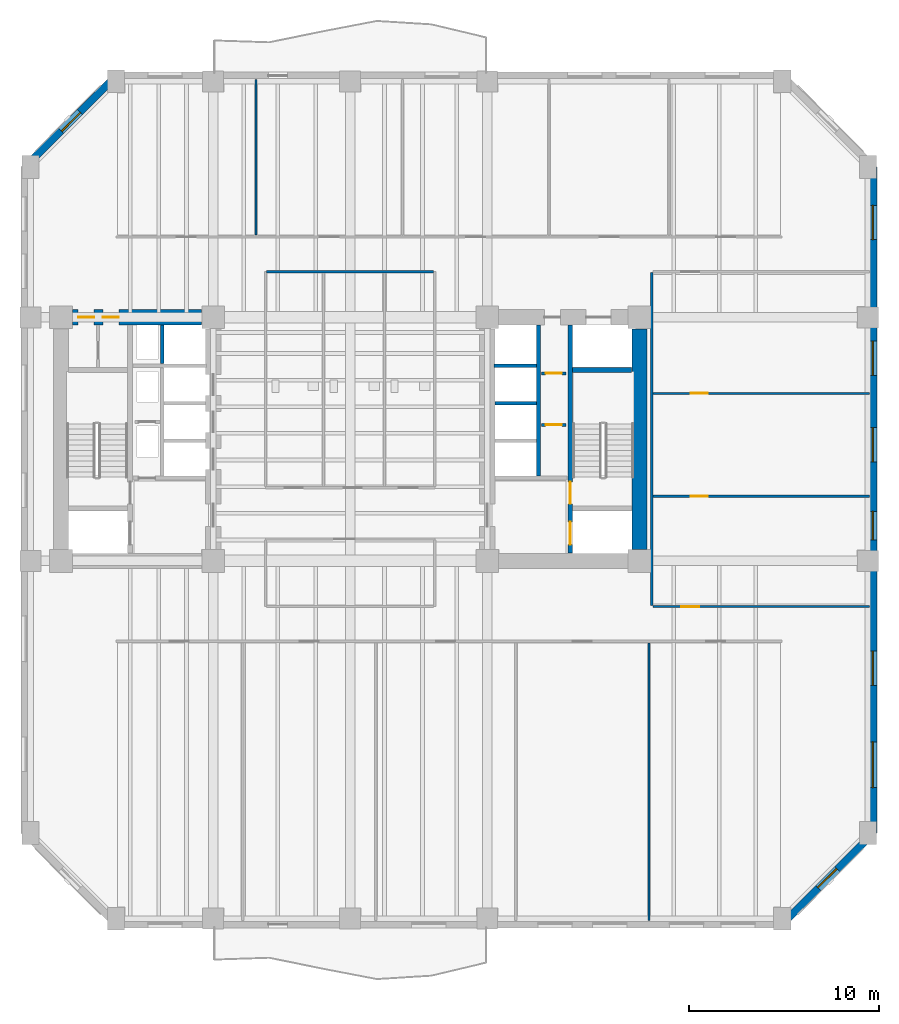
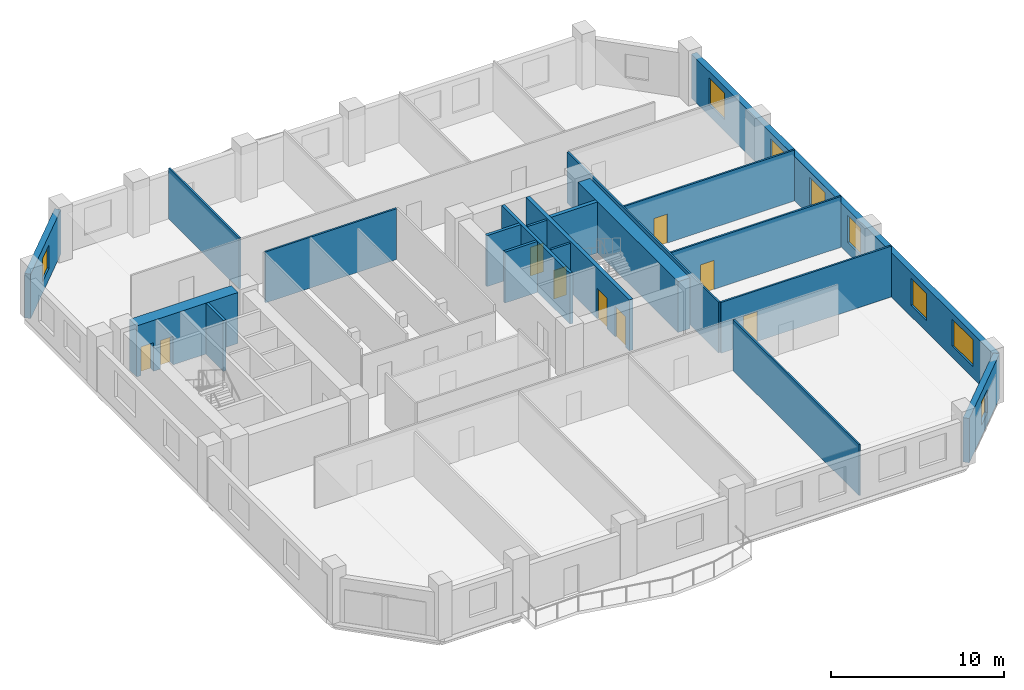
# One storey, part 4 of 9: 20 walls, 9 doors, 8 windows, 17 openings.
"""IFC4 building model written with IfcOpenShell, lengths in metres."""

from ifc_helpers import new_model, si_unit, direction, frame, frame_2d, origin, place, context, subcontext, project, spatial, rectangle, extrude, material, layer, layer_set, type_object, element, fill, save


model = new_model("IFC4")

# Units and contexts
model_context = context("Model", 3, precision=1e-05, world=origin(), true_north=direction((0.0, 1.0)))
body_context = subcontext(model_context, "Body", "Model", "MODEL_VIEW")
ifc_project = project(units=[si_unit("LENGTHUNIT", "METRE"), si_unit("AREAUNIT", "SQUARE_METRE"), si_unit("VOLUMEUNIT", "CUBIC_METRE"), si_unit("PLANEANGLEUNIT", "RADIAN"), si_unit("MASSUNIT", "GRAM", prefix="KILO")], contexts=[model_context])

# Site, building, storey
site_placement = place(None, origin())
site = spatial("IfcSite", under=ifc_project, at=site_placement, CompositionType="ELEMENT")
building_placement = place(site_placement, origin())
building = spatial("IfcBuilding", under=site, at=building_placement, Name="Kranthara Brick Stack", CompositionType="ELEMENT")
storey_placement = place(building_placement, frame((0.0, 0.0, 63.300048828125)))
storey = spatial("IfcBuildingStorey", under=building, at=storey_placement, Name="L15", CompositionType="ELEMENT", Elevation=63.300048828125)

# Wall, opening, window
ifc_material_1 = material(Name="Kiln-fired clay brick masonry M15", Category="masonry")
ifc_layer_1 = layer(ifc_material_1, 0.3798828125)
ifc_layer_set_1 = layer_set([ifc_layer_1], Name="Kiln-fired clay brick masonry M15")
wall_type_1 = type_object("IfcWallType", Name="WL-BRK-PIER-380", PredefinedType="STANDARD", material=ifc_layer_set_1)
wall_1_placement = place(storey_placement, frame((10.909912109375, 41.5, 0.0), z_axis=(0.0, 0.0, 1.0), x_axis=(0.707106781187, 0.707106781187, 0.0)))
wall_1 = element("IfcWall", 1, at=wall_1_placement, inside=storey, type_object=wall_type_1, Name="L15 Exterior Brick Facade Wall NW 1", PredefinedType="STANDARD", context=body_context, shape_type="SweptSolid", body=[
    extrude(rectangle(XDim=6.774169921875, YDim=0.3798828125, at=frame_2d((3.38720703125, 0.0))), origin(), (0.0, 0.0, 1.0), 3.135009765625),
])
opening_1_placement = place(wall_1_placement, frame((2.68701171875, 0.0, 0.800048828125)))
opening_1 = element("IfcOpeningElement", 2, at=opening_1_placement, cuts=wall_1, Name="Opening WN10", PredefinedType="OPENING", context=body_context, shape_type="SweptSolid", body=[
    extrude(rectangle(XDim=1.39990234375, YDim=1.64990234375, at=frame_2d((0.699951171875, 0.824951171875))), frame((0.0, 0.199951171875, 0.0), z_axis=(0.0, -1.0, 0.0), x_axis=(1.0, 0.0, 0.0)), (0.0, 0.0, 1.0), 0.39990234375),
])
ifc_material_2 = material(Name="Double-glazed low-E solar control glass", Category="glass")
window_type_1 = type_object("IfcWindowType", Name="WN-CHM-1400x1750", PartitioningType="SINGLE_PANEL", PredefinedType="WINDOW", material=ifc_material_2)
window_1_placement = place(opening_1_placement, origin())
window_1 = element("IfcWindow", 3, at=window_1_placement, inside=storey, type_object=window_type_1, Name="L15 NW Chamfer Corner Window", OverallHeight=1.64990234375, OverallWidth=1.39990234375, PartitioningType="SINGLE_PANEL", PredefinedType="WINDOW", context=body_context, shape_type="SweptSolid", body=[
    extrude(rectangle(XDim=1.39990234375, YDim=1.64990234375, at=frame_2d((0.699951171875, 0.824951171875))), frame((0.0, -0.010009765625, 0.0), z_axis=(0.0, -1.0, 0.0), x_axis=(1.0, 0.0, 0.0)), (0.0, 0.0, 1.0), 0.06005859375),
])
fill(opening_1, window_1)

# Wall, openings, windows
wall_2_placement = place(storey_placement, frame((55.489990234375, 41.5, 0.0), z_axis=(0.0, 0.0, 1.0), x_axis=(0.0, -1.0, 0.0)))
wall_2 = element("IfcWall", 4, at=wall_2_placement, inside=storey, type_object=wall_type_1, Name="L15 Exterior Brick Facade Wall EAST 1", PredefinedType="STANDARD", context=body_context, shape_type="SweptSolid", body=[
    extrude(rectangle(XDim=35.0, YDim=0.3798828125, at=frame_2d((17.5, 0.0))), origin(), (0.0, 0.0, 1.0), 3.135009765625),
])
opening_2_placement = place(wall_2_placement, frame((2.02490234375, 0.0, 0.800048828125)))
opening_2 = element("IfcOpeningElement", 5, at=opening_2_placement, cuts=wall_2, Name="Opening WN01", PredefinedType="OPENING", context=body_context, shape_type="SweptSolid", body=[
    extrude(rectangle(XDim=1.800048828125, YDim=1.89990234375, at=frame_2d((0.89990234375, 0.949951171875))), frame((0.0, 0.199951171875, 0.0), z_axis=(0.0, -1.0, 0.0), x_axis=(1.0, 0.0, 0.0)), (0.0, 0.0, 1.0), 0.39990234375),
])
opening_3_placement = place(wall_2_placement, frame((9.14990234375, 0.0, 0.800048828125)))
opening_3 = element("IfcOpeningElement", 6, at=opening_3_placement, cuts=wall_2, Name="Opening WN01", PredefinedType="OPENING", context=body_context, shape_type="SweptSolid", body=[
    extrude(rectangle(XDim=1.800048828125, YDim=1.89990234375, at=frame_2d((0.89990234375, 0.949951171875))), frame((0.0, 0.199951171875, 0.0), z_axis=(0.0, -1.0, 0.0), x_axis=(1.0, 0.0, 0.0)), (0.0, 0.0, 1.0), 0.39990234375),
])
opening_4_placement = place(wall_2_placement, frame((13.699951171875, 0.0, 0.800048828125)))
opening_4 = element("IfcOpeningElement", 7, at=opening_4_placement, cuts=wall_2, Name="Opening WN01", PredefinedType="OPENING", context=body_context, shape_type="SweptSolid", body=[
    extrude(rectangle(XDim=1.800048828125, YDim=1.89990234375, at=frame_2d((0.89990234375, 0.949951171875))), frame((0.0, 0.199951171875, 0.0), z_axis=(0.0, -1.0, 0.0), x_axis=(1.0, 0.0, 0.0)), (0.0, 0.0, 1.0), 0.39990234375),
])
opening_5_placement = place(wall_2_placement, frame((18.10009765625, 0.0, 0.800048828125)))
opening_5 = element("IfcOpeningElement", 8, at=opening_5_placement, cuts=wall_2, Name="Opening WN03", PredefinedType="OPENING", context=body_context, shape_type="SweptSolid", body=[
    extrude(rectangle(XDim=1.5, YDim=1.89990234375, at=frame_2d((0.75, 0.949951171875))), frame((0.0, 0.199951171875, 0.0), z_axis=(0.0, -1.0, 0.0), x_axis=(1.0, 0.0, 0.0)), (0.0, 0.0, 1.0), 0.39990234375),
])
opening_6_placement = place(wall_2_placement, frame((25.443115234375, 0.0, 0.800048828125)))
opening_6 = element("IfcOpeningElement", 9, at=opening_6_placement, cuts=wall_2, Name="Opening WN01", PredefinedType="OPENING", context=body_context, shape_type="SweptSolid", body=[
    extrude(rectangle(XDim=1.800048828125, YDim=1.89990234375, at=frame_2d((0.89990234375, 0.949951171875))), frame((0.0, 0.199951171875, 0.0), z_axis=(0.0, -1.0, 0.0), x_axis=(1.0, 0.0, 0.0)), (0.0, 0.0, 1.0), 0.39990234375),
])
opening_7_placement = place(wall_2_placement, frame((30.20703125, 0.0, 0.800048828125)))
opening_7 = element("IfcOpeningElement", 10, at=opening_7_placement, cuts=wall_2, Name="Opening WN02", PredefinedType="OPENING", context=body_context, shape_type="SweptSolid", body=[
    extrude(rectangle(XDim=2.39990234375, YDim=1.89990234375, at=frame_2d((1.199951171875, 0.949951171875))), frame((0.0, 0.199951171875, 0.0), z_axis=(0.0, -1.0, 0.0), x_axis=(1.0, 0.0, 0.0)), (0.0, 0.0, 1.0), 0.39990234375),
])
ifc_material_3 = material(Name="Double-glazed low-E solar control glass", Category="glass")
window_type_2 = type_object("IfcWindowType", Name="WN-OFF-1500x2000", PartitioningType="SINGLE_PANEL", PredefinedType="WINDOW", material=ifc_material_3)
window_2_placement = place(opening_5_placement, origin())
window_2 = element("IfcWindow", 11, at=window_2_placement, inside=storey, type_object=window_type_2, Name="L15 East Deep-Set Brick Window 04", OverallHeight=1.89990234375, OverallWidth=1.5, PartitioningType="SINGLE_PANEL", PredefinedType="WINDOW", context=body_context, shape_type="SweptSolid", body=[
    extrude(rectangle(XDim=1.5, YDim=1.89990234375, at=frame_2d((0.75, 0.949951171875))), frame((0.0, -0.010009765625, 0.0), z_axis=(0.0, -1.0, 0.0), x_axis=(1.0, 0.0, 0.0)), (0.0, 0.0, 1.0), 0.06005859375),
])
fill(opening_5, window_2)
ifc_material_4 = material(Name="Double-glazed low-E solar control glass", Category="glass")
window_type_3 = type_object("IfcWindowType", Name="WN-OFF-1800x2000", PartitioningType="SINGLE_PANEL", PredefinedType="WINDOW", material=ifc_material_4)
window_3_placement = place(opening_2_placement, origin())
window_3 = element("IfcWindow", 12, at=window_3_placement, inside=storey, type_object=window_type_3, Name="L15 East Deep-Set Brick Window 01", OverallHeight=1.89990234375, OverallWidth=1.800048828125, PartitioningType="SINGLE_PANEL", PredefinedType="WINDOW", context=body_context, shape_type="SweptSolid", body=[
    extrude(rectangle(XDim=1.800048828125, YDim=1.89990234375, at=frame_2d((0.89990234375, 0.949951171875))), frame((0.0, -0.010009765625, 0.0), z_axis=(0.0, -1.0, 0.0), x_axis=(1.0, 0.0, 0.0)), (0.0, 0.0, 1.0), 0.06005859375),
])
fill(opening_2, window_3)
window_4_placement = place(opening_3_placement, origin())
window_4 = element("IfcWindow", 13, at=window_4_placement, inside=storey, type_object=window_type_3, Name="L15 East Deep-Set Brick Window 02", OverallHeight=1.89990234375, OverallWidth=1.800048828125, PartitioningType="SINGLE_PANEL", PredefinedType="WINDOW", context=body_context, shape_type="SweptSolid", body=[
    extrude(rectangle(XDim=1.800048828125, YDim=1.89990234375, at=frame_2d((0.89990234375, 0.949951171875))), frame((0.0, -0.010009765625, 0.0), z_axis=(0.0, -1.0, 0.0), x_axis=(1.0, 0.0, 0.0)), (0.0, 0.0, 1.0), 0.06005859375),
])
fill(opening_3, window_4)
window_5_placement = place(opening_4_placement, origin())
window_5 = element("IfcWindow", 14, at=window_5_placement, inside=storey, type_object=window_type_3, Name="L15 East Deep-Set Brick Window 03", OverallHeight=1.89990234375, OverallWidth=1.800048828125, PartitioningType="SINGLE_PANEL", PredefinedType="WINDOW", context=body_context, shape_type="SweptSolid", body=[
    extrude(rectangle(XDim=1.800048828125, YDim=1.89990234375, at=frame_2d((0.89990234375, 0.949951171875))), frame((0.0, -0.010009765625, 0.0), z_axis=(0.0, -1.0, 0.0), x_axis=(1.0, 0.0, 0.0)), (0.0, 0.0, 1.0), 0.06005859375),
])
fill(opening_4, window_5)
window_6_placement = place(opening_6_placement, origin())
window_6 = element("IfcWindow", 15, at=window_6_placement, inside=storey, type_object=window_type_3, Name="L15 East Deep-Set Brick Window 05", OverallHeight=1.89990234375, OverallWidth=1.800048828125, PartitioningType="SINGLE_PANEL", PredefinedType="WINDOW", context=body_context, shape_type="SweptSolid", body=[
    extrude(rectangle(XDim=1.800048828125, YDim=1.89990234375, at=frame_2d((0.89990234375, 0.949951171875))), frame((0.0, -0.010009765625, 0.0), z_axis=(0.0, -1.0, 0.0), x_axis=(1.0, 0.0, 0.0)), (0.0, 0.0, 1.0), 0.06005859375),
])
fill(opening_6, window_6)
ifc_material_5 = material(Name="Double-glazed low-E solar control glass", Category="glass")
window_type_4 = type_object("IfcWindowType", Name="WN-OFF-2400x2000", PartitioningType="DOUBLE_PANEL_VERTICAL", PredefinedType="WINDOW", material=ifc_material_5)
window_7_placement = place(opening_7_placement, origin())
window_7 = element("IfcWindow", 16, at=window_7_placement, inside=storey, type_object=window_type_4, Name="L15 East Deep-Set Brick Window 06", OverallHeight=1.89990234375, OverallWidth=2.39990234375, PartitioningType="SINGLE_PANEL", PredefinedType="WINDOW", context=body_context, shape_type="SweptSolid", body=[
    extrude(rectangle(XDim=2.39990234375, YDim=1.89990234375, at=frame_2d((1.199951171875, 0.949951171875))), frame((0.0, -0.010009765625, 0.0), z_axis=(0.0, -1.0, 0.0), x_axis=(1.0, 0.0, 0.0)), (0.0, 0.0, 1.0), 0.06005859375),
])
fill(opening_7, window_7)

# Wall, opening, window
wall_3_placement = place(storey_placement, frame((55.489990234375, 6.5, 0.0), z_axis=(0.0, 0.0, 1.0), x_axis=(-0.707106781187, -0.707106781187, 0.0)))
wall_3 = element("IfcWall", 17, at=wall_3_placement, inside=storey, type_object=wall_type_1, Name="L15 Exterior Brick Facade Wall SE 1", PredefinedType="STANDARD", context=body_context, shape_type="SweptSolid", body=[
    extrude(rectangle(XDim=6.774169921875, YDim=0.3798828125, at=frame_2d((3.38720703125, 0.0))), origin(), (0.0, 0.0, 1.0), 3.135009765625),
])
opening_8_placement = place(wall_3_placement, frame((2.68701171875, 0.0, 0.800048828125)))
opening_8 = element("IfcOpeningElement", 18, at=opening_8_placement, cuts=wall_3, Name="Opening WN10", PredefinedType="OPENING", context=body_context, shape_type="SweptSolid", body=[
    extrude(rectangle(XDim=1.39990234375, YDim=1.64990234375, at=frame_2d((0.699951171875, 0.824951171875))), frame((0.0, 0.199951171875, 0.0), z_axis=(0.0, -1.0, 0.0), x_axis=(1.0, 0.0, 0.0)), (0.0, 0.0, 1.0), 0.39990234375),
])
window_8_placement = place(opening_8_placement, origin())
window_8 = element("IfcWindow", 19, at=window_8_placement, inside=storey, type_object=window_type_1, Name="L15 SE Chamfer Corner Window", OverallHeight=1.64990234375, OverallWidth=1.39990234375, PartitioningType="SINGLE_PANEL", PredefinedType="WINDOW", context=body_context, shape_type="SweptSolid", body=[
    extrude(rectangle(XDim=1.39990234375, YDim=1.64990234375, at=frame_2d((0.699951171875, 0.824951171875))), frame((0.0, -0.010009765625, 0.0), z_axis=(0.0, -1.0, 0.0), x_axis=(1.0, 0.0, 0.0)), (0.0, 0.0, 1.0), 0.06005859375),
])
fill(opening_8, window_8)

# Wall, openings, doors
ifc_material_6 = material(Name="Concrete C50/60", Category="concrete")
ifc_layer_2 = layer(ifc_material_6, 0.25)
ifc_layer_set_2 = layer_set([ifc_layer_2], Name="Concrete C50/60")
wall_type_2 = type_object("IfcWallType", Name="WL-CORE-250", PredefinedType="SHEAR", material=ifc_layer_set_2)
wall_4_placement = place(storey_placement, frame((39.56494140625, 21.2099609375, 0.0), z_axis=(0.0, 0.0, 1.0), x_axis=(0.0, 1.0, 0.0)))
wall_4 = element("IfcWall", 20, at=wall_4_placement, inside=storey, type_object=wall_type_2, Name="L15 East Core Stair Bearing Spine Wall", PredefinedType="SHEAR", context=body_context, shape_type="SweptSolid", body=[
    extrude(rectangle(XDim=11.97998046875, YDim=0.25, at=frame_2d((5.989990234375, 0.0))), origin(), (0.0, 0.0, 1.0), 3.599853515625),
])
opening_9_placement = place(wall_4_placement, frame((0.43994140625, 0.0, 0.0)))
opening_9 = element("IfcOpeningElement", 21, at=opening_9_placement, cuts=wall_4, Name="Opening LD01", PredefinedType="OPENING", context=body_context, shape_type="SweptSolid", body=[
    extrude(rectangle(XDim=1.199951171875, YDim=2.14990234375, at=frame_2d((0.60009765625, 1.074951171875))), frame((0.0, 0.135009765625, 0.0), z_axis=(0.0, -1.0, 0.0), x_axis=(1.0, 0.0, 0.0)), (0.0, 0.0, 1.0), 0.27001953125),
])
opening_10_placement = place(wall_4_placement, frame((2.590087890625, 0.0, 0.0)))
opening_10 = element("IfcOpeningElement", 22, at=opening_10_placement, cuts=wall_4, Name="Opening D05", PredefinedType="OPENING", context=body_context, shape_type="SweptSolid", body=[
    extrude(rectangle(XDim=1.14990234375, YDim=2.14990234375, at=frame_2d((0.574951171875, 1.074951171875))), frame((0.0, 0.135009765625, 0.0), z_axis=(0.0, -1.0, 0.0), x_axis=(1.0, 0.0, 0.0)), (0.0, 0.0, 1.0), 0.27001953125),
])
ifc_material_7 = material(Name="Stainless steel sliding landing door", Category="steel")
door_type_1 = type_object("IfcDoorType", Name="DR-LD-FF1200", OperationType="DOUBLE_DOOR_SLIDING", PredefinedType="DOOR", material=ifc_material_7)
door_1_placement = place(opening_9_placement, origin())
door_1 = element("IfcDoor", 23, at=door_1_placement, inside=storey, type_object=door_type_1, Name="L15 Firefighting Lift FF-02 Landing Door", OperationType="DOUBLE_DOOR_SLIDING", OverallHeight=2.14990234375, OverallWidth=1.199951171875, PredefinedType="DOOR", context=body_context, shape_type="SweptSolid", body=[
    extrude(rectangle(XDim=1.199951171875, YDim=2.14990234375, at=frame_2d((0.60009765625, 1.074951171875))), frame((0.0, 0.02490234375, 0.0), z_axis=(0.0, -1.0, 0.0), x_axis=(1.0, 0.0, 0.0)), (0.0, 0.0, 1.0), 0.050048828125),
])
fill(opening_9, door_1)
ifc_material_8 = material(Name="Solid-core hardwood timber leaf in steel frame", Category="steel")
door_type_2 = type_object("IfcDoorType", Name="DR-ST-1150", OperationType="NOTDEFINED", PredefinedType="DOOR", material=ifc_material_8)
door_2_placement = place(opening_10_placement, origin())
door_2 = element("IfcDoor", 24, at=door_2_placement, inside=storey, type_object=door_type_2, Name="L15 Exit Stair ST02 Door", OperationType="SINGLE_SWING_LEFT", OverallHeight=2.14990234375, OverallWidth=1.14990234375, PredefinedType="DOOR", context=body_context, shape_type="SweptSolid", body=[
    extrude(rectangle(XDim=1.14990234375, YDim=2.14990234375, at=frame_2d((0.574951171875, 1.074951171875))), frame((0.0, 0.02490234375, 0.0), z_axis=(0.0, -1.0, 0.0), x_axis=(1.0, 0.0, 0.0)), (0.0, 0.0, 1.0), 0.050048828125),
])
fill(opening_10, door_2)

# Wall
wall_5_placement = place(storey_placement, frame((39.68994140625, 30.830078125, 0.0), z_axis=(0.0, 0.0, 1.0), x_axis=(1.0, 0.0, 0.0)))
element("IfcWall", 25, at=wall_5_placement, inside=storey, type_object=wall_type_2, Name="L15 East Stairwell Bearing Wall EST", PredefinedType="SHEAR", context=body_context, shape_type="SweptSolid", body=[
    extrude(rectangle(XDim=3.10009765625, YDim=0.25, at=frame_2d((1.550048828125, 0.0))), origin(), (0.0, 0.0, 1.0), 3.599853515625),
])

# Wall, openings, doors
ifc_material_9 = material(Name="Concrete C70/85", Category="concrete")
ifc_layer_3 = layer(ifc_material_9, 0.800048828125)
ifc_layer_set_3 = layer_set([ifc_layer_3], Name="Concrete C70/85")
wall_type_3 = type_object("IfcWallType", Name="WL-CORE-800", PredefinedType="SHEAR", material=ifc_layer_set_3)
wall_6_placement = place(storey_placement, frame((13.405029296875, 33.60009765625, 0.0), z_axis=(0.0, 0.0, 1.0), x_axis=(1.0, 0.0, 0.0)))
wall_6 = element("IfcWall", 26, at=wall_6_placement, inside=storey, type_object=wall_type_3, Name="L15 West Core Shear Wall North", PredefinedType="SHEAR", context=body_context, shape_type="SweptSolid", body=[
    extrude(rectangle(XDim=6.7900390625, YDim=0.800048828125, at=frame_2d((3.39501953125, 0.0))), origin(), (0.0, 0.0, 1.0), 3.599853515625),
])
opening_11_placement = place(wall_6_placement, frame((0.294921875, 0.0, 0.0)))
opening_11 = element("IfcOpeningElement", 27, at=opening_11_placement, cuts=wall_6, Name="Opening D10", PredefinedType="OPENING", context=body_context, shape_type="SweptSolid", body=[
    extrude(rectangle(XDim=0.85009765625, YDim=2.02001953125, at=frame_2d((0.425048828125, 1.010009765625))), frame((0.0, 0.409912109375, 0.0), z_axis=(0.0, -1.0, 0.0), x_axis=(1.0, 0.0, 0.0)), (0.0, 0.0, 1.0), 0.820068359375),
])
opening_12_placement = place(wall_6_placement, frame((1.594970703125, 0.0, 0.0)))
opening_12 = element("IfcOpeningElement", 28, at=opening_12_placement, cuts=wall_6, Name="Opening D10", PredefinedType="OPENING", context=body_context, shape_type="SweptSolid", body=[
    extrude(rectangle(XDim=0.85009765625, YDim=2.02001953125, at=frame_2d((0.425048828125, 1.010009765625))), frame((0.0, 0.409912109375, 0.0), z_axis=(0.0, -1.0, 0.0), x_axis=(1.0, 0.0, 0.0)), (0.0, 0.0, 1.0), 0.820068359375),
])
ifc_material_10 = material(Name="Solid-core hardwood timber leaf in steel frame", Category="steel")
door_type_3 = type_object("IfcDoorType", Name="DR-RSR-850", OperationType="NOTDEFINED", PredefinedType="DOOR", material=ifc_material_10)
door_3_placement = place(opening_11_placement, origin())
door_3 = element("IfcDoor", 29, at=door_3_placement, inside=storey, type_object=door_type_3, Name="L15 West Core Service Door 1", OperationType="SINGLE_SWING_LEFT", OverallHeight=2.02001953125, OverallWidth=0.85009765625, PredefinedType="DOOR", context=body_context, shape_type="SweptSolid", body=[
    extrude(rectangle(XDim=0.85009765625, YDim=2.02001953125, at=frame_2d((0.425048828125, 1.010009765625))), frame((0.0, 0.02490234375, 0.0), z_axis=(0.0, -1.0, 0.0), x_axis=(1.0, 0.0, 0.0)), (0.0, 0.0, 1.0), 0.050048828125),
])
fill(opening_11, door_3)
door_4_placement = place(opening_12_placement, origin())
door_4 = element("IfcDoor", 30, at=door_4_placement, inside=storey, type_object=door_type_3, Name="L15 West Core Service Door 2", OperationType="SINGLE_SWING_RIGHT", OverallHeight=2.02001953125, OverallWidth=0.85009765625, PredefinedType="DOOR", context=body_context, shape_type="SweptSolid", body=[
    extrude(rectangle(XDim=0.85009765625, YDim=2.02001953125, at=frame_2d((0.425048828125, 1.010009765625))), frame((0.0, 0.02490234375, 0.0), z_axis=(0.0, -1.0, 0.0), x_axis=(1.0, 0.0, 0.0)), (0.0, 0.0, 1.0), 0.050048828125),
])
fill(opening_12, door_4)

# Walls
wall_7_placement = place(storey_placement, frame((43.199951171875, 21.405029296875, 0.0), z_axis=(0.0, 0.0, 1.0), x_axis=(0.0, 1.0, 0.0)))
element("IfcWall", 31, at=wall_7_placement, inside=storey, type_object=wall_type_3, Name="L15 East Core Shear Wall East", PredefinedType="SHEAR", context=body_context, shape_type="SweptSolid", body=[
    extrude(rectangle(XDim=11.590087890625, YDim=0.800048828125, at=frame_2d((5.794921875, 0.0))), origin(), (0.0, 0.0, 1.0), 3.599853515625),
])
ifc_material_11 = material(Name="Acoustic gypsum plasterboard partition", Category="other")
ifc_layer_4 = layer(ifc_material_11, 0.1201171875)
ifc_layer_set_4 = layer_set([ifc_layer_4], Name="Acoustic gypsum plasterboard partition")
wall_type_4 = type_object("IfcWallType", Name="WL-PART-120", PredefinedType="PARTITIONING", material=ifc_layer_set_4)
wall_8_placement = place(storey_placement, frame((23.614990234375, 36.0, 0.0), z_axis=(0.0, 0.0, 1.0), x_axis=(1.0, 0.0, 0.0)))
element("IfcWall", 32, at=wall_8_placement, inside=storey, type_object=wall_type_4, Name="L15 Interior Partition 010", PredefinedType="PARTITIONING", context=body_context, shape_type="SweptSolid", body=[
    extrude(rectangle(XDim=8.77001953125, YDim=0.1201171875, at=frame_2d((4.385009765625, 0.0))), origin(), (0.0, 0.0, 1.0), 3.599853515625),
])
wall_9_placement = place(storey_placement, frame((43.699951171875, 1.905029296875, 0.0), z_axis=(0.0, 0.0, 1.0), x_axis=(0.0, 1.0, 0.0)))
element("IfcWall", 33, at=wall_9_placement, inside=storey, type_object=wall_type_4, Name="L15 Interior Partition 019", PredefinedType="PARTITIONING", context=body_context, shape_type="SweptSolid", body=[
    extrude(rectangle(XDim=14.574951171875, YDim=0.1201171875, at=frame_2d((7.28759765625, 0.0))), origin(), (0.0, 0.0, 1.0), 3.599853515625),
])
wall_10_placement = place(storey_placement, frame((23.050048828125, 37.919921875, 0.0), z_axis=(0.0, 0.0, 1.0), x_axis=(0.0, 1.0, 0.0)))
element("IfcWall", 34, at=wall_10_placement, inside=storey, type_object=wall_type_4, Name="L15 Interior Partition 021", PredefinedType="PARTITIONING", context=body_context, shape_type="SweptSolid", body=[
    extrude(rectangle(XDim=8.175048828125, YDim=0.1201171875, at=frame_2d((4.08740234375, 0.0))), origin(), (0.0, 0.0, 1.0), 3.599853515625),
])
wall_11_placement = place(storey_placement, frame((43.85009765625, 18.449951171875, 0.0), z_axis=(0.0, 0.0, 1.0), x_axis=(0.0, 1.0, 0.0)))
element("IfcWall", 35, at=wall_11_placement, inside=storey, type_object=wall_type_4, Name="L15 Interior Partition 025", PredefinedType="PARTITIONING", context=body_context, shape_type="SweptSolid", body=[
    extrude(rectangle(XDim=17.5, YDim=0.1201171875, at=frame_2d((8.75, 0.0))), origin(), (0.0, 0.0, 1.0), 3.599853515625),
])

# Wall, opening, door
wall_12_placement = place(storey_placement, frame((43.9150390625, 18.39990234375, 0.0), z_axis=(0.0, 0.0, 1.0), x_axis=(1.0, 0.0, 0.0)))
wall_12 = element("IfcWall", 36, at=wall_12_placement, inside=storey, type_object=wall_type_4, Name="L15 Interior Partition 026", PredefinedType="PARTITIONING", context=body_context, shape_type="SweptSolid", body=[
    extrude(rectangle(XDim=11.3798828125, YDim=0.1201171875, at=frame_2d((5.68994140625, 0.0))), origin(), (0.0, 0.0, 1.0), 3.599853515625),
])
opening_13_placement = place(wall_12_placement, frame((1.485107421875, 0.0, 0.0)))
opening_13 = element("IfcOpeningElement", 37, at=opening_13_placement, cuts=wall_12, Name="Opening D14", PredefinedType="OPENING", context=body_context, shape_type="SweptSolid", body=[
    extrude(rectangle(XDim=0.949951171875, YDim=2.10009765625, at=frame_2d((0.47509765625, 1.050048828125))), frame((0.0, 0.070068359375, 0.0), z_axis=(0.0, -1.0, 0.0), x_axis=(1.0, 0.0, 0.0)), (0.0, 0.0, 1.0), 0.14013671875),
])
ifc_material_12 = material(Name="Solid-core hardwood timber leaf in steel frame", Category="steel")
door_type_4 = type_object("IfcDoorType", Name="DR-INT-950", OperationType="NOTDEFINED", PredefinedType="DOOR", material=ifc_material_12)
door_5_placement = place(opening_13_placement, origin())
door_5 = element("IfcDoor", 38, at=door_5_placement, inside=storey, type_object=door_type_4, Name="L15 East South Office 21", OperationType="SINGLE_SWING_LEFT", OverallHeight=2.10009765625, OverallWidth=0.949951171875, PredefinedType="DOOR", context=body_context, shape_type="SweptSolid", body=[
    extrude(rectangle(XDim=0.949951171875, YDim=2.10009765625, at=frame_2d((0.47509765625, 1.050048828125))), frame((0.0, 0.02490234375, 0.0), z_axis=(0.0, -1.0, 0.0), x_axis=(1.0, 0.0, 0.0)), (0.0, 0.0, 1.0), 0.050048828125),
])
fill(opening_13, door_5)

wall_13_placement = place(storey_placement, frame((43.9150390625, 24.199951171875, 0.0), z_axis=(0.0, 0.0, 1.0), x_axis=(1.0, 0.0, 0.0)))
wall_13 = element("IfcWall", 39, at=wall_13_placement, inside=storey, type_object=wall_type_4, Name="L15 Interior Partition 028", PredefinedType="PARTITIONING", context=body_context, shape_type="SweptSolid", body=[
    extrude(rectangle(XDim=11.3798828125, YDim=0.1201171875, at=frame_2d((5.68994140625, 0.0))), origin(), (0.0, 0.0, 1.0), 3.599853515625),
])
opening_14_placement = place(wall_13_placement, frame((1.985107421875, 0.0, 0.0)))
opening_14 = element("IfcOpeningElement", 40, at=opening_14_placement, cuts=wall_13, Name="Opening D15", PredefinedType="OPENING", context=body_context, shape_type="SweptSolid", body=[
    extrude(rectangle(XDim=0.89990234375, YDim=2.050048828125, at=frame_2d((0.449951171875, 1.02490234375))), frame((0.0, 0.070068359375, 0.0), z_axis=(0.0, -1.0, 0.0), x_axis=(1.0, 0.0, 0.0)), (0.0, 0.0, 1.0), 0.14013671875),
])
ifc_material_13 = material(Name="Solid-core hardwood timber leaf in steel frame", Category="steel")
door_type_5 = type_object("IfcDoorType", Name="DR-INT-900", OperationType="NOTDEFINED", PredefinedType="DOOR", material=ifc_material_13)
door_6_placement = place(opening_14_placement, origin())
door_6 = element("IfcDoor", 41, at=door_6_placement, inside=storey, type_object=door_type_5, Name="L15 East Inner Suite Door 19", OperationType="SINGLE_SWING_LEFT", OverallHeight=2.050048828125, OverallWidth=0.89990234375, PredefinedType="DOOR", context=body_context, shape_type="SweptSolid", body=[
    extrude(rectangle(XDim=0.89990234375, YDim=2.050048828125, at=frame_2d((0.449951171875, 1.02490234375))), frame((0.0, 0.02490234375, 0.0), z_axis=(0.0, -1.0, 0.0), x_axis=(1.0, 0.0, 0.0)), (0.0, 0.0, 1.0), 0.050048828125),
])
fill(opening_14, door_6)

wall_14_placement = place(storey_placement, frame((43.9150390625, 29.60009765625, 0.0), z_axis=(0.0, 0.0, 1.0), x_axis=(1.0, 0.0, 0.0)))
wall_14 = element("IfcWall", 42, at=wall_14_placement, inside=storey, type_object=wall_type_4, Name="L15 Interior Partition 029", PredefinedType="PARTITIONING", context=body_context, shape_type="SweptSolid", body=[
    extrude(rectangle(XDim=11.3798828125, YDim=0.1201171875, at=frame_2d((5.68994140625, 0.0))), origin(), (0.0, 0.0, 1.0), 3.599853515625),
])
opening_15_placement = place(wall_14_placement, frame((1.985107421875, 0.0, 0.0)))
opening_15 = element("IfcOpeningElement", 43, at=opening_15_placement, cuts=wall_14, Name="Opening D15", PredefinedType="OPENING", context=body_context, shape_type="SweptSolid", body=[
    extrude(rectangle(XDim=0.89990234375, YDim=2.050048828125, at=frame_2d((0.449951171875, 1.02490234375))), frame((0.0, 0.070068359375, 0.0), z_axis=(0.0, -1.0, 0.0), x_axis=(1.0, 0.0, 0.0)), (0.0, 0.0, 1.0), 0.14013671875),
])
door_7_placement = place(opening_15_placement, origin())
door_7 = element("IfcDoor", 44, at=door_7_placement, inside=storey, type_object=door_type_5, Name="L15 East Inner Suite Door 20", OperationType="SINGLE_SWING_RIGHT", OverallHeight=2.050048828125, OverallWidth=0.89990234375, PredefinedType="DOOR", context=body_context, shape_type="SweptSolid", body=[
    extrude(rectangle(XDim=0.89990234375, YDim=2.050048828125, at=frame_2d((0.449951171875, 1.02490234375))), frame((0.0, 0.02490234375, 0.0), z_axis=(0.0, -1.0, 0.0), x_axis=(1.0, 0.0, 0.0)), (0.0, 0.0, 1.0), 0.050048828125),
])
fill(opening_15, door_7)

ifc_material_14 = material(Name="Fire-rated gypsum board partition", Category="other")
ifc_layer_5 = layer(ifc_material_14, 0.14990234375)
ifc_layer_set_5 = layer_set([ifc_layer_5], Name="Fire-rated gypsum board partition")
wall_type_5 = type_object("IfcWallType", Name="WL-PART-150", PredefinedType="PARTITIONING", material=ifc_layer_set_5)
wall_15_placement = place(storey_placement, frame((38.050048828125, 27.949951171875, 0.0), z_axis=(0.0, 0.0, 1.0), x_axis=(1.0, 0.0, 0.0)))
wall_15 = element("IfcWall", 45, at=wall_15_placement, inside=storey, type_object=wall_type_5, Name="L15 Interior Partition 002", PredefinedType="PARTITIONING", context=body_context, shape_type="SweptSolid", body=[
    extrude(rectangle(XDim=1.300048828125, YDim=0.14990234375, at=frame_2d((0.64990234375, 0.0))), origin(), (0.0, 0.0, 1.0), 3.599853515625),
])
opening_16_placement = place(wall_15_placement, frame((0.219970703125, 0.0, 0.0)))
opening_16 = element("IfcOpeningElement", 46, at=opening_16_placement, cuts=wall_15, Name="Opening D10", PredefinedType="OPENING", context=body_context, shape_type="SweptSolid", body=[
    extrude(rectangle(XDim=0.85009765625, YDim=2.02001953125, at=frame_2d((0.425048828125, 1.010009765625))), frame((0.0, 0.0849609375, 0.0), z_axis=(0.0, -1.0, 0.0), x_axis=(1.0, 0.0, 0.0)), (0.0, 0.0, 1.0), 0.169921875),
])
door_8_placement = place(opening_16_placement, origin())
door_8 = element("IfcDoor", 47, at=door_8_placement, inside=storey, type_object=door_type_3, Name="L15 Riser Door 1 02", OperationType="SINGLE_SWING_RIGHT", OverallHeight=2.02001953125, OverallWidth=0.85009765625, PredefinedType="DOOR", context=body_context, shape_type="SweptSolid", body=[
    extrude(rectangle(XDim=0.85009765625, YDim=2.02001953125, at=frame_2d((0.425048828125, 1.010009765625))), frame((0.0, 0.02490234375, 0.0), z_axis=(0.0, -1.0, 0.0), x_axis=(1.0, 0.0, 0.0)), (0.0, 0.0, 1.0), 0.050048828125),
])
fill(opening_16, door_8)

wall_16_placement = place(storey_placement, frame((38.050048828125, 30.64990234375, 0.0), z_axis=(0.0, 0.0, 1.0), x_axis=(1.0, 0.0, 0.0)))
wall_16 = element("IfcWall", 48, at=wall_16_placement, inside=storey, type_object=wall_type_5, Name="L15 Interior Partition 003", PredefinedType="PARTITIONING", context=body_context, shape_type="SweptSolid", body=[
    extrude(rectangle(XDim=1.300048828125, YDim=0.14990234375, at=frame_2d((0.64990234375, 0.0))), origin(), (0.0, 0.0, 1.0), 3.599853515625),
])
opening_17_placement = place(wall_16_placement, frame((0.219970703125, 0.0, 0.0)))
opening_17 = element("IfcOpeningElement", 49, at=opening_17_placement, cuts=wall_16, Name="Opening D10", PredefinedType="OPENING", context=body_context, shape_type="SweptSolid", body=[
    extrude(rectangle(XDim=0.85009765625, YDim=2.02001953125, at=frame_2d((0.425048828125, 1.010009765625))), frame((0.0, 0.0849609375, 0.0), z_axis=(0.0, -1.0, 0.0), x_axis=(1.0, 0.0, 0.0)), (0.0, 0.0, 1.0), 0.169921875),
])
door_9_placement = place(opening_17_placement, origin())
door_9 = element("IfcDoor", 50, at=door_9_placement, inside=storey, type_object=door_type_3, Name="L15 Riser Door 2 03", OperationType="SINGLE_SWING_LEFT", OverallHeight=2.02001953125, OverallWidth=0.85009765625, PredefinedType="DOOR", context=body_context, shape_type="SweptSolid", body=[
    extrude(rectangle(XDim=0.85009765625, YDim=2.02001953125, at=frame_2d((0.425048828125, 1.010009765625))), frame((0.0, 0.02490234375, 0.0), z_axis=(0.0, -1.0, 0.0), x_axis=(1.0, 0.0, 0.0)), (0.0, 0.0, 1.0), 0.050048828125),
])
fill(opening_17, door_9)

# Walls
ifc_material_15 = material(Name="Gypsum plasterboard on acoustic twin stud", Category="other")
ifc_layer_6 = layer(ifc_material_15, 0.179931640625)
ifc_layer_set_6 = layer_set([ifc_layer_6], Name="Gypsum plasterboard on acoustic twin stud")
wall_type_6 = type_object("IfcWallType", Name="WL-PART-180", PredefinedType="PARTITIONING", material=ifc_layer_set_6)
wall_17_placement = place(storey_placement, frame((18.1201171875, 31.169921875, 0.0), z_axis=(0.0, 0.0, 1.0), x_axis=(0.0, 1.0, 0.0)))
element("IfcWall", 51, at=wall_17_placement, inside=storey, type_object=wall_type_6, Name="L15 West Hoistway Wall WBK7", PredefinedType="PARTITIONING", context=body_context, shape_type="SweptSolid", body=[
    extrude(rectangle(XDim=2.02001953125, YDim=0.179931640625, at=frame_2d((1.010009765625, 0.0))), origin(), (0.0, 0.0, 1.0), 3.599853515625),
])
wall_18_placement = place(storey_placement, frame((35.610107421875, 29.080078125, 0.0), z_axis=(0.0, 0.0, 1.0), x_axis=(1.0, 0.0, 0.0)))
element("IfcWall", 52, at=wall_18_placement, inside=storey, type_object=wall_type_6, Name="L15 East Hoistway Wall EH2", PredefinedType="PARTITIONING", context=body_context, shape_type="SweptSolid", body=[
    extrude(rectangle(XDim=2.169921875, YDim=0.179931640625, at=frame_2d((1.0849609375, 0.0))), origin(), (0.0, 0.0, 1.0), 3.599853515625),
])
ifc_material_16 = material(Name="Concrete C40/50", Category="concrete")
ifc_layer_7 = layer(ifc_material_16, 0.199951171875)
ifc_layer_set_7 = layer_set([ifc_layer_7], Name="Concrete C40/50")
wall_type_7 = type_object("IfcWallType", Name="WL-PART-200", PredefinedType="SOLIDWALL", material=ifc_layer_set_7)
wall_19_placement = place(storey_placement, frame((35.550048828125, 31.050048828125, 0.0), z_axis=(0.0, 0.0, 1.0), x_axis=(1.0, 0.0, 0.0)))
element("IfcWall", 53, at=wall_19_placement, inside=storey, type_object=wall_type_7, Name="L15 East Core Cross Wall EE4", PredefinedType="SOLIDWALL", context=body_context, shape_type="SweptSolid", body=[
    extrude(rectangle(XDim=2.25, YDim=0.199951171875, at=frame_2d((1.125, 0.0))), origin(), (0.0, 0.0, 1.0), 3.599853515625),
])
wall_20_placement = place(storey_placement, frame((37.89990234375, 25.27001953125, 0.0), z_axis=(0.0, 0.0, 1.0), x_axis=(0.0, 1.0, 0.0)))
element("IfcWall", 54, at=wall_20_placement, inside=storey, type_object=wall_type_7, Name="L15 East Core Cross Wall ESV", PredefinedType="SOLIDWALL", context=body_context, shape_type="SweptSolid", body=[
    extrude(rectangle(XDim=7.919921875, YDim=0.199951171875, at=frame_2d((3.9599609375, 0.0))), origin(), (0.0, 0.0, 1.0), 3.599853515625),
])

save(model, "model.ifc")
